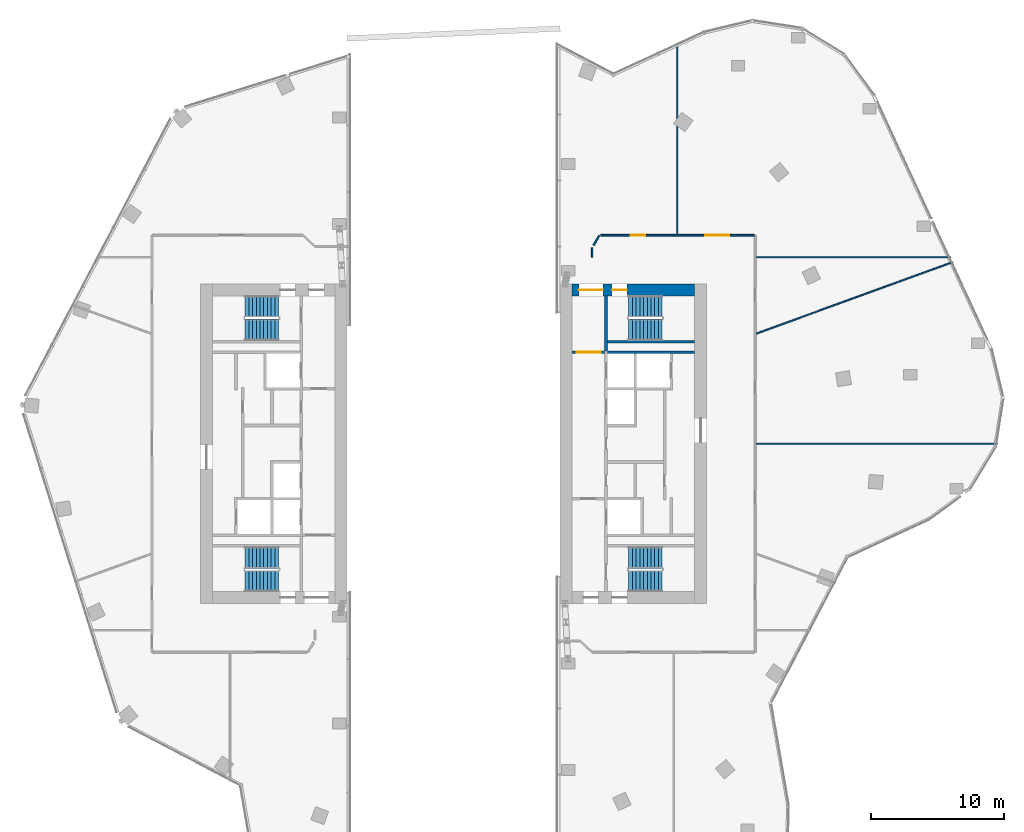
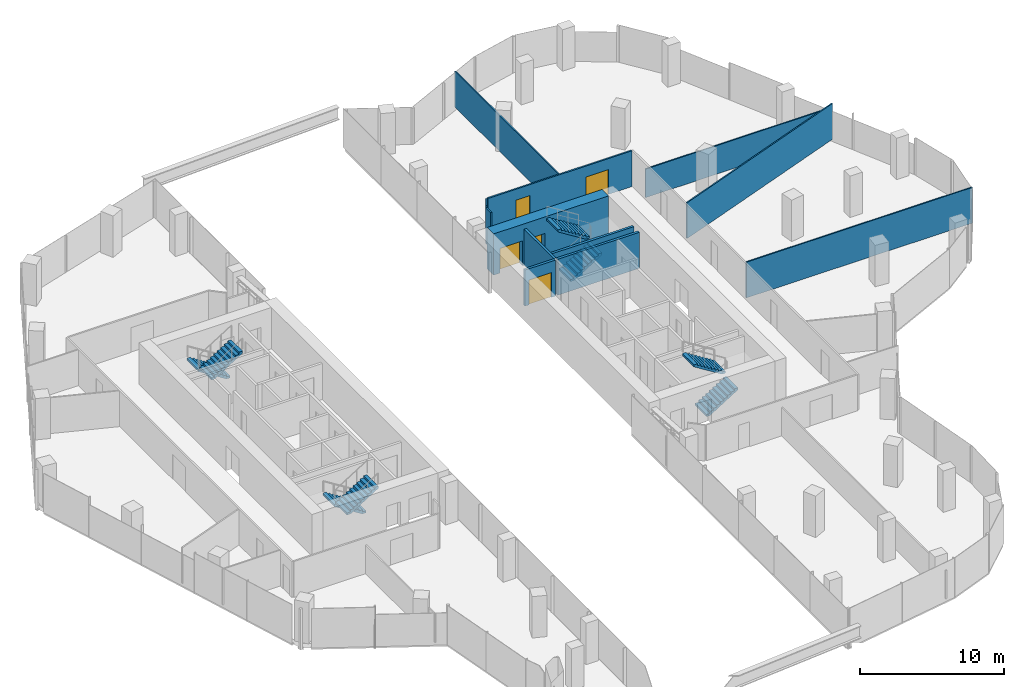
# One storey, part 22 of 24: 12 walls, 8 stair flights, 5 doors, 5 openings, 4 elements without a shape of their own.
"""IFC4 building model written with IfcOpenShell, lengths in metres."""

from ifc_helpers import new_model, si_unit, direction, frame, frame_2d, origin, place, context, subcontext, project, spatial, polyline, rectangle, outline, extrude, material, layer, layer_set, type_object, element, fill, aggregate, save


model = new_model("IFC4")

# Units and contexts
model_context = context("Model", 3, precision=1e-05, world=origin(), true_north=direction((0.0, 1.0)))
body_context = subcontext(model_context, "Body", "Model", "MODEL_VIEW")
ifc_project = project(units=[si_unit("LENGTHUNIT", "METRE"), si_unit("AREAUNIT", "SQUARE_METRE"), si_unit("VOLUMEUNIT", "CUBIC_METRE"), si_unit("PLANEANGLEUNIT", "RADIAN"), si_unit("MASSUNIT", "GRAM", prefix="KILO")], contexts=[model_context])

# Site, building, storey
site_placement = place(None, origin())
site = spatial("IfcSite", under=ifc_project, at=site_placement, CompositionType="ELEMENT")
building_placement = place(site_placement, origin())
building = spatial("IfcBuilding", under=site, at=building_placement, Name="Orlundy Tower", CompositionType="ELEMENT")
storey_placement = place(building_placement, frame((0.0, 0.0, 267.5)))
storey = spatial("IfcBuildingStorey", under=building, at=storey_placement, Name="L71", CompositionType="ELEMENT", Elevation=267.5)

# Wall, openings, doors
ifc_material_1 = material(Name="Concrete C60/75", Category="concrete")
ifc_layer_1 = layer(ifc_material_1, 0.89990234375)
ifc_layer_set_1 = layer_set([ifc_layer_1], Name="CORE WALL 900 C60/75")
wall_type_1 = type_object("IfcWallType", Name="CORE WALL 900 C60/75", PredefinedType="SHEAR", material=ifc_layer_set_1)
wall_1_placement = place(storey_placement, frame((8.89990234375, 11.550048828125, 0.0), z_axis=(0.0, 0.0, 1.0), x_axis=(1.0, 0.0, 0.0)))
wall_1 = element("IfcWall", 1, at=wall_1_placement, inside=storey, type_object=wall_type_1, Name="Core wall E-N L71", PredefinedType="SHEAR", context=body_context, shape_type="SweptSolid", body=[
    extrude(rectangle(XDim=9.2001953125, YDim=0.89990234375, at=frame_2d((4.60009765625, 0.0))), origin(), (0.0, 0.0, 1.0), 3.5),
])
opening_1_placement = place(wall_1_placement, frame((0.5, 0.0, 0.0)))
opening_1 = element("IfcOpeningElement", 2, at=opening_1_placement, cuts=wall_1, Name="Opening 53061", PredefinedType="OPENING", context=body_context, shape_type="SweptSolid", body=[
    extrude(rectangle(XDim=1.800048828125, YDim=2.10009765625, at=frame_2d((0.89990234375, 1.050048828125))), frame((0.0, 0.4599609375, 0.0), z_axis=(0.0, -1.0, 0.0), x_axis=(1.0, 0.0, 0.0)), (0.0, 0.0, 1.0), 0.919921875),
])
opening_2_placement = place(wall_1_placement, frame((3.0, 0.0, 0.0)))
opening_2 = element("IfcOpeningElement", 3, at=opening_2_placement, cuts=wall_1, Name="Opening 53063", PredefinedType="OPENING", context=body_context, shape_type="SweptSolid", body=[
    extrude(rectangle(XDim=1.10009765625, YDim=2.10009765625, at=frame_2d((0.550048828125, 1.050048828125))), frame((0.0, 0.4599609375, 0.0), z_axis=(0.0, -1.0, 0.0), x_axis=(1.0, 0.0, 0.0)), (0.0, 0.0, 1.0), 0.919921875),
])
ifc_material_2 = material(Name="Timber door set", Category="wood")
door_type_1 = type_object("IfcDoorType", Name="Lobby Door 1800x2100", OperationType="DOUBLE_DOOR_DOUBLE_SWING", PredefinedType="DOOR", material=ifc_material_2)
door_1_placement = place(opening_1_placement, origin())
door_1 = element("IfcDoor", 4, at=door_1_placement, inside=storey, type_object=door_type_1, Name="Passage door 53061", OperationType="SINGLE_SWING_LEFT", OverallHeight=2.10009765625, OverallWidth=1.800048828125, PredefinedType="DOOR", context=body_context, shape_type="SweptSolid", body=[
    extrude(rectangle(XDim=1.800048828125, YDim=2.10009765625, at=frame_2d((0.89990234375, 1.050048828125))), frame((0.0, 0.02490234375, 0.0), z_axis=(0.0, -1.0, 0.0), x_axis=(1.0, 0.0, 0.0)), (0.0, 0.0, 1.0), 0.050048828125),
])
fill(opening_1, door_1)
ifc_material_3 = material(Name="Steel door set", Category="steel")
door_type_2 = type_object("IfcDoorType", Name="Stair Door 1100x2100", OperationType="SINGLE_SWING_LEFT", PredefinedType="DOOR", material=ifc_material_3)
door_2_placement = place(opening_2_placement, origin())
door_2 = element("IfcDoor", 5, at=door_2_placement, inside=storey, type_object=door_type_2, Name="Stair door 53063", OperationType="SINGLE_SWING_LEFT", OverallHeight=2.10009765625, OverallWidth=1.10009765625, PredefinedType="DOOR", context=body_context, shape_type="SweptSolid", body=[
    extrude(rectangle(XDim=1.10009765625, YDim=2.10009765625, at=frame_2d((0.550048828125, 1.050048828125))), frame((0.0, 0.02490234375, 0.0), z_axis=(0.0, -1.0, 0.0), x_axis=(1.0, 0.0, 0.0)), (0.0, 0.0, 1.0), 0.050048828125),
])
fill(opening_2, door_2)

# Walls
ifc_material_4 = material(Name="Gypsum board partition")
ifc_layer_2 = layer(ifc_material_4, 0.10009765625)
ifc_layer_set_2 = layer_set([ifc_layer_2], Name="Floor partition 100")
wall_type_2 = type_object("IfcWallType", Name="Floor partition 100", PredefinedType="PARTITIONING", material=ifc_layer_set_2)
wall_2_placement = place(storey_placement, frame((22.712890625, 0.0, 0.0), z_axis=(0.0, 0.0, 1.0), x_axis=(1.0, 0.0, 0.0)))
element("IfcWall", 6, at=wall_2_placement, inside=storey, type_object=wall_type_2, Name="wall-int-L71-008", PredefinedType="PARTITIONING", context=body_context, shape_type="SweptSolid", body=[
    extrude(rectangle(XDim=18.125, YDim=0.10009765625, at=frame_2d((9.0625, 0.0))), origin(), (0.0, 0.0, 1.0), 3.030029296875),
])
wall_3_placement = place(storey_placement, frame((22.73095703125, 8.27294921875, 0.0), z_axis=(0.0, 0.0, 1.0), x_axis=(0.939678973323, 0.342057637095, 0.0)))
element("IfcWall", 7, at=wall_3_placement, inside=storey, type_object=wall_type_2, Name="wall-int-L71-015", PredefinedType="PARTITIONING", context=body_context, shape_type="SweptSolid", body=[
    extrude(rectangle(XDim=15.702392578125, YDim=0.10009765625, at=frame_2d((7.85107421875, 0.0))), origin(), (0.0, 0.0, 1.0), 3.030029296875),
])
wall_4_placement = place(storey_placement, frame((16.794921875, 15.712890625, 0.0), z_axis=(0.0, 0.0, 1.0), x_axis=(0.0, 1.0, 0.0)))
element("IfcWall", 8, at=wall_4_placement, inside=storey, type_object=wall_type_2, Name="wall-int-L71-019", PredefinedType="PARTITIONING", context=body_context, shape_type="SweptSolid", body=[
    extrude(rectangle(XDim=14.373046875, YDim=0.10009765625, at=frame_2d((7.1865234375, 0.0))), origin(), (0.0, 0.0, 1.0), 3.030029296875),
])
ifc_material_5 = material(Name="Gypsum board partition")
ifc_layer_3 = layer(ifc_material_5, 0.10009765625)
ifc_layer_set_3 = layer_set([ifc_layer_3], Name="Floor partition 100 B")
wall_type_3 = type_object("IfcWallType", Name="Floor partition 100 B", PredefinedType="PARTITIONING", material=ifc_layer_set_3)
wall_5_placement = place(storey_placement, frame((22.712890625, 14.0, 0.0), z_axis=(0.0, 0.0, 1.0), x_axis=(1.0, 0.0, 0.0)))
element("IfcWall", 9, at=wall_5_placement, inside=storey, type_object=wall_type_3, Name="wall-int-L71-010", PredefinedType="PARTITIONING", context=body_context, shape_type="SweptSolid", body=[
    extrude(rectangle(XDim=14.608154296875, YDim=0.10009765625, at=frame_2d((7.30419921875, 0.0))), origin(), (0.0, 0.0, 1.0), 2.4189453125),
])

# Wall, openings, doors
ifc_material_6 = material(Name="Gypsum board partition, double layer")
ifc_layer_4 = layer(ifc_material_6, 0.125)
ifc_layer_set_4 = layer_set([ifc_layer_4], Name="Floor partition 125")
wall_type_4 = type_object("IfcWallType", Name="Floor partition 125", PredefinedType="PARTITIONING", material=ifc_layer_set_4)
wall_6_placement = place(storey_placement, frame((11.047119140625, 15.65087890625, 0.0), z_axis=(0.0, 0.0, 1.0), x_axis=(1.0, 0.0, 0.0)))
wall_6 = element("IfcWall", 10, at=wall_6_placement, inside=storey, type_object=wall_type_4, Name="wall-int-L71-013", PredefinedType="PARTITIONING", context=body_context, shape_type="SweptSolid", body=[
    extrude(rectangle(XDim=11.539794921875, YDim=0.125, at=frame_2d((5.77001953125, 0.0))), origin(), (0.0, 0.0, 1.0), 3.030029296875),
])
opening_3_placement = place(wall_6_placement, frame((7.84765625, 0.0, 0.0)))
opening_3 = element("IfcOpeningElement", 11, at=opening_3_placement, cuts=wall_6, Name="Opening 53109", PredefinedType="OPENING", context=body_context, shape_type="SweptSolid", body=[
    extrude(rectangle(XDim=1.800048828125, YDim=2.10009765625, at=frame_2d((0.89990234375, 1.050048828125))), frame((0.0, 0.072509765625, 0.0), z_axis=(0.0, -1.0, 0.0), x_axis=(1.0, 0.0, 0.0)), (0.0, 0.0, 1.0), 0.14501953125),
])
opening_4_placement = place(wall_6_placement, frame((2.24169921875, 0.0, 0.0)))
opening_4 = element("IfcOpeningElement", 12, at=opening_4_placement, cuts=wall_6, Name="Opening 53110", PredefinedType="OPENING", context=body_context, shape_type="SweptSolid", body=[
    extrude(rectangle(XDim=1.10009765625, YDim=2.10009765625, at=frame_2d((0.550048828125, 1.050048828125))), frame((0.0, 0.072509765625, 0.0), z_axis=(0.0, -1.0, 0.0), x_axis=(1.0, 0.0, 0.0)), (0.0, 0.0, 1.0), 0.14501953125),
])
ifc_material_7 = material(Name="Timber door leaf", Category="wood")
door_type_3 = type_object("IfcDoorType", Name="Floor door double 1800 FD30S", OperationType="NOTDEFINED", PredefinedType="DOOR", material=ifc_material_7)
door_3_placement = place(opening_3_placement, origin())
door_3 = element("IfcDoor", 13, at=door_3_placement, inside=storey, type_object=door_type_3, Name="Door 53109", OperationType="DOUBLE_DOOR_SINGLE_SWING", OverallHeight=2.10009765625, OverallWidth=1.800048828125, PredefinedType="DOOR", context=body_context, shape_type="SweptSolid", body=[
    extrude(rectangle(XDim=1.800048828125, YDim=2.10009765625, at=frame_2d((0.89990234375, 1.050048828125))), frame((0.0, 0.02490234375, 0.0), z_axis=(0.0, -1.0, 0.0), x_axis=(1.0, 0.0, 0.0)), (0.0, 0.0, 1.0), 0.050048828125),
])
fill(opening_3, door_3)
ifc_material_8 = material(Name="Timber door leaf", Category="wood")
door_type_4 = type_object("IfcDoorType", Name="Floor door xwide 1100 FD30S", OperationType="NOTDEFINED", PredefinedType="DOOR", material=ifc_material_8)
door_4_placement = place(opening_4_placement, origin())
door_4 = element("IfcDoor", 14, at=door_4_placement, inside=storey, type_object=door_type_4, Name="Door 53110", OperationType="SINGLE_SWING_LEFT", OverallHeight=2.10009765625, OverallWidth=1.10009765625, PredefinedType="DOOR", context=body_context, shape_type="SweptSolid", body=[
    extrude(rectangle(XDim=1.10009765625, YDim=2.10009765625, at=frame_2d((0.550048828125, 1.050048828125))), frame((0.0, 0.02490234375, 0.0), z_axis=(0.0, -1.0, 0.0), x_axis=(1.0, 0.0, 0.0)), (0.0, 0.0, 1.0), 0.050048828125),
])
fill(opening_4, door_4)

# Walls
wall_7_placement = place(storey_placement, frame((10.510009765625, 14.902099609375, 0.0), z_axis=(0.0, 0.0, 1.0), x_axis=(0.500820310379, 0.865551279077, 0.0)))
element("IfcWall", 15, at=wall_7_placement, inside=storey, type_object=wall_type_4, Name="wall-int-L71-016", PredefinedType="PARTITIONING", context=body_context, shape_type="SweptSolid", body=[
    extrude(rectangle(XDim=0.8466796875, YDim=0.125, at=frame_2d((0.42333984375, 0.0))), origin(), (0.0, 0.0, 1.0), 3.030029296875),
])
wall_8_placement = place(storey_placement, frame((10.39990234375, 14.0, 0.0), z_axis=(0.0, 0.0, 1.0), x_axis=(0.0, 1.0, 0.0)))
element("IfcWall", 16, at=wall_8_placement, inside=storey, type_object=wall_type_4, Name="wall-int-L71-022", PredefinedType="PARTITIONING", context=body_context, shape_type="SweptSolid", body=[
    extrude(rectangle(XDim=0.699951171875, YDim=0.125, at=frame_2d((0.35009765625, 0.0))), origin(), (0.0, 0.0, 1.0), 3.030029296875),
])
ifc_material_9 = material(Name="Concrete C40/50", Category="concrete")
ifc_layer_5 = layer(ifc_material_9, 0.199951171875)
ifc_layer_set_5 = layer_set([ifc_layer_5], Name="Load-bearing Shaft Wall 200")
wall_type_5 = type_object("IfcWallType", Name="Load-bearing Shaft Wall 200", PredefinedType="SOLIDWALL", material=ifc_layer_set_5)
wall_9_placement = place(storey_placement, frame((11.43994140625, 11.10009765625, 0.0), z_axis=(0.0, 0.0, 1.0), x_axis=(0.0, -1.0, 0.0)))
element("IfcWall", 17, at=wall_9_placement, inside=storey, type_object=wall_type_5, Name="Shaft wall E53-stair-end-s", PredefinedType="SOLIDWALL", context=body_context, shape_type="SweptSolid", body=[
    extrude(rectangle(XDim=4.125, YDim=0.199951171875, at=frame_2d((2.0625, 0.0))), origin(), (0.0, 0.0, 1.0), 3.050048828125),
])
wall_10_placement = place(storey_placement, frame((11.5400390625, 7.64990234375, 0.0), z_axis=(0.0, 0.0, 1.0), x_axis=(1.0, 0.0, 0.0)))
element("IfcWall", 18, at=wall_10_placement, inside=storey, type_object=wall_type_5, Name="Shaft wall E53-stair-side-s", PredefinedType="SOLIDWALL", context=body_context, shape_type="SweptSolid", body=[
    extrude(rectangle(XDim=6.56005859375, YDim=0.199951171875, at=frame_2d((3.280029296875, 0.0))), origin(), (0.0, 0.0, 1.0), 3.050048828125),
])

# Wall, opening, door
ifc_material_10 = material(Name="Gypsum board partition on steel studs", Category="steel")
ifc_layer_6 = layer(ifc_material_10, 0.199951171875)
ifc_layer_set_6 = layer_set([ifc_layer_6], Name="Partition 200")
wall_type_6 = type_object("IfcWallType", Name="Partition 200", PredefinedType="PARTITIONING", material=ifc_layer_set_6)
wall_11_placement = place(storey_placement, frame((8.89990234375, 6.875, 0.0), z_axis=(0.0, 0.0, 1.0), x_axis=(1.0, 0.0, 0.0)))
wall_11 = element("IfcWall", 19, at=wall_11_placement, inside=storey, type_object=wall_type_6, Name="Partition wall E53-end-s", PredefinedType="PARTITIONING", context=body_context, shape_type="SweptSolid", body=[
    extrude(rectangle(XDim=2.440185546875, YDim=0.199951171875, at=frame_2d((1.22021484375, 0.0))), origin(), (0.0, 0.0, 1.0), 3.050048828125),
])
opening_5_placement = place(wall_11_placement, frame((0.35009765625, 0.0, 0.0)))
opening_5 = element("IfcOpeningElement", 20, at=opening_5_placement, cuts=wall_11, Name="Opening 53060", PredefinedType="OPENING", context=body_context, shape_type="SweptSolid", body=[
    extrude(rectangle(XDim=1.800048828125, YDim=2.10009765625, at=frame_2d((0.89990234375, 1.050048828125))), frame((0.0, 0.110107421875, 0.0), z_axis=(0.0, -1.0, 0.0), x_axis=(1.0, 0.0, 0.0)), (0.0, 0.0, 1.0), 0.22021484375),
])
door_5_placement = place(opening_5_placement, origin())
door_5 = element("IfcDoor", 21, at=door_5_placement, inside=storey, type_object=door_type_1, Name="Lift lobby to passage door 53060", OperationType="DOUBLE_DOOR_DOUBLE_SWING", OverallHeight=2.10009765625, OverallWidth=1.800048828125, PredefinedType="DOOR", context=body_context, shape_type="SweptSolid", body=[
    extrude(rectangle(XDim=1.800048828125, YDim=2.10009765625, at=frame_2d((0.89990234375, 1.050048828125))), frame((0.0, 0.02490234375, 0.0), z_axis=(0.0, -1.0, 0.0), x_axis=(1.0, 0.0, 0.0)), (0.0, 0.0, 1.0), 0.050048828125),
])
fill(opening_5, door_5)

# Wall
ifc_material_11 = material(Name="Fire-rated blockwork shaft wall", Category="masonry")
ifc_layer_7 = layer(ifc_material_11, 0.199951171875)
ifc_layer_set_7 = layer_set([ifc_layer_7], Name="Shaft Wall 200")
wall_type_7 = type_object("IfcWallType", Name="Shaft Wall 200", PredefinedType="SOLIDWALL", material=ifc_layer_set_7)
wall_12_placement = place(storey_placement, frame((11.5400390625, 6.875, 0.0), z_axis=(0.0, 0.0, 1.0), x_axis=(1.0, 0.0, 0.0)))
element("IfcWall", 22, at=wall_12_placement, inside=storey, type_object=wall_type_7, Name="Shaft wall E53-zone-s", PredefinedType="SOLIDWALL", context=body_context, shape_type="SweptSolid", body=[
    extrude(rectangle(XDim=6.56005859375, YDim=0.199951171875, at=frame_2d((3.280029296875, 0.0))), origin(), (0.0, 0.0, 1.0), 3.050048828125),
])

# Stair, stair flights
ifc_material_12 = material(Name="Concrete C50/60", Category="concrete")
stair_type = type_object("IfcStairType", Name="Exit Stair 20 risers", PredefinedType="HALF_TURN_STAIR", material=ifc_material_12)
stair_1_placement = place(storey_placement, origin())
stair_1 = element("IfcStair", 23, at=stair_1_placement, inside=storey, type_object=stair_type, Name="L71 Exit Stair ST-W1", PredefinedType="HALF_TURN_STAIR")
ifc_material_13 = material(Name="Concrete C50/60", Category="concrete")
stair_flight_type = type_object("IfcStairFlightType", Name="Stair Flight 10 risers", PredefinedType="STRAIGHT", material=ifc_material_13)
stair_flight_1_placement = place(storey_placement, frame((-13.139892578125, 10.300048828125, 0.0), z_axis=(0.0, 0.0, 1.0), x_axis=(-1.0, 0.0, 0.0)))
stair_flight_1 = element("IfcStairFlight", 24, at=stair_flight_1_placement, type_object=stair_flight_type, Name="ST-W1 flight 1", NumberOfRisers=10, NumberOfTreads=9, PredefinedType="STRAIGHT", RiserHeight=0.175, TreadLength=0.28, context=body_context, shape_type="SweptSolid", body=[
    extrude(outline(polyline([(0.0, 0.0), (0.0, 0.175048828125), (0.280029296875, 0.175048828125), (0.280029296875, 0.35009765625), (0.56005859375, 0.35009765625), (0.56005859375, 0.52490234375), (0.840087890625, 0.52490234375), (0.840087890625, 0.699951171875), (1.1201171875, 0.699951171875), (1.1201171875, 0.875), (1.39990234375, 0.875), (1.39990234375, 1.050048828125), (1.679931640625, 1.050048828125), (1.679931640625, 1.22509765625), (1.9599609375, 1.22509765625), (1.9599609375, 1.39990234375), (2.239990234375, 1.39990234375), (2.239990234375, 1.574951171875), (2.52001953125, 1.574951171875), (2.52001953125, 1.75), (2.52001953125, 1.398193359375), (0.28271484375, 0.0), (0.0, 0.0)])), frame((0.0, 0.800048828125, 0.0), z_axis=(0.0, -1.0, 0.0), x_axis=(1.0, 0.0, 0.0)), (0.0, 0.0, 1.0), 1.60009765625),
])
stair_flight_2_placement = place(storey_placement, frame((-15.659912109375, 8.550048828125, 1.75), z_axis=(0.0, 0.0, 1.0), x_axis=(1.0, 0.0, 0.0)))
stair_flight_2 = element("IfcStairFlight", 25, at=stair_flight_2_placement, type_object=stair_flight_type, Name="ST-W1 flight 2", NumberOfRisers=10, NumberOfTreads=9, PredefinedType="STRAIGHT", RiserHeight=0.175, TreadLength=0.28, context=body_context, shape_type="SweptSolid", body=[
    extrude(outline(polyline([(0.0, 0.0), (0.0, 0.175048828125), (0.280029296875, 0.175048828125), (0.280029296875, 0.35009765625), (0.56005859375, 0.35009765625), (0.56005859375, 0.52490234375), (0.840087890625, 0.52490234375), (0.840087890625, 0.699951171875), (1.1201171875, 0.699951171875), (1.1201171875, 0.875), (1.39990234375, 0.875), (1.39990234375, 1.050048828125), (1.679931640625, 1.050048828125), (1.679931640625, 1.22509765625), (1.9599609375, 1.22509765625), (1.9599609375, 1.39990234375), (2.239990234375, 1.39990234375), (2.239990234375, 1.574951171875), (2.52001953125, 1.574951171875), (2.52001953125, 1.75), (2.52001953125, 1.398193359375), (0.28271484375, 0.0), (0.0, 0.0)])), frame((0.0, 0.800048828125, 0.0), z_axis=(0.0, -1.0, 0.0), x_axis=(1.0, 0.0, 0.0)), (0.0, 0.0, 1.0), 1.60009765625),
])
aggregate(stair_1, [stair_flight_1, stair_flight_2])

stair_2_placement = place(storey_placement, origin())
stair_2 = element("IfcStair", 26, at=stair_2_placement, inside=storey, type_object=stair_type, Name="L71 Exit Stair ST-W2", PredefinedType="HALF_TURN_STAIR")
stair_flight_3_placement = place(storey_placement, frame((-13.139892578125, -8.550048828125, 0.0), z_axis=(0.0, 0.0, 1.0), x_axis=(-1.0, 0.0, 0.0)))
stair_flight_3 = element("IfcStairFlight", 27, at=stair_flight_3_placement, type_object=stair_flight_type, Name="ST-W2 flight 1", NumberOfRisers=10, NumberOfTreads=9, PredefinedType="STRAIGHT", RiserHeight=0.175, TreadLength=0.28, context=body_context, shape_type="SweptSolid", body=[
    extrude(outline(polyline([(0.0, 0.0), (0.0, 0.175048828125), (0.280029296875, 0.175048828125), (0.280029296875, 0.35009765625), (0.56005859375, 0.35009765625), (0.56005859375, 0.52490234375), (0.840087890625, 0.52490234375), (0.840087890625, 0.699951171875), (1.1201171875, 0.699951171875), (1.1201171875, 0.875), (1.39990234375, 0.875), (1.39990234375, 1.050048828125), (1.679931640625, 1.050048828125), (1.679931640625, 1.22509765625), (1.9599609375, 1.22509765625), (1.9599609375, 1.39990234375), (2.239990234375, 1.39990234375), (2.239990234375, 1.574951171875), (2.52001953125, 1.574951171875), (2.52001953125, 1.75), (2.52001953125, 1.398193359375), (0.28271484375, 0.0), (0.0, 0.0)])), frame((0.0, 0.800048828125, 0.0), z_axis=(0.0, -1.0, 0.0), x_axis=(1.0, 0.0, 0.0)), (0.0, 0.0, 1.0), 1.60009765625),
])
stair_flight_4_placement = place(storey_placement, frame((-15.659912109375, -10.300048828125, 1.75), z_axis=(0.0, 0.0, 1.0), x_axis=(1.0, 0.0, 0.0)))
stair_flight_4 = element("IfcStairFlight", 28, at=stair_flight_4_placement, type_object=stair_flight_type, Name="ST-W2 flight 2", NumberOfRisers=10, NumberOfTreads=9, PredefinedType="STRAIGHT", RiserHeight=0.175, TreadLength=0.28, context=body_context, shape_type="SweptSolid", body=[
    extrude(outline(polyline([(0.0, 0.0), (0.0, 0.175048828125), (0.280029296875, 0.175048828125), (0.280029296875, 0.35009765625), (0.56005859375, 0.35009765625), (0.56005859375, 0.52490234375), (0.840087890625, 0.52490234375), (0.840087890625, 0.699951171875), (1.1201171875, 0.699951171875), (1.1201171875, 0.875), (1.39990234375, 0.875), (1.39990234375, 1.050048828125), (1.679931640625, 1.050048828125), (1.679931640625, 1.22509765625), (1.9599609375, 1.22509765625), (1.9599609375, 1.39990234375), (2.239990234375, 1.39990234375), (2.239990234375, 1.574951171875), (2.52001953125, 1.574951171875), (2.52001953125, 1.75), (2.52001953125, 1.398193359375), (0.28271484375, 0.0), (0.0, 0.0)])), frame((0.0, 0.800048828125, 0.0), z_axis=(0.0, -1.0, 0.0), x_axis=(1.0, 0.0, 0.0)), (0.0, 0.0, 1.0), 1.60009765625),
])
aggregate(stair_2, [stair_flight_3, stair_flight_4])

stair_3_placement = place(storey_placement, origin())
stair_3 = element("IfcStair", 29, at=stair_3_placement, inside=storey, type_object=stair_type, Name="L71 Exit Stair ST-E1", PredefinedType="HALF_TURN_STAIR")
stair_flight_5_placement = place(storey_placement, frame((13.139892578125, -10.300048828125, 0.0), z_axis=(0.0, 0.0, 1.0), x_axis=(1.0, 0.0, 0.0)))
stair_flight_5 = element("IfcStairFlight", 30, at=stair_flight_5_placement, type_object=stair_flight_type, Name="ST-E1 flight 1", NumberOfRisers=10, NumberOfTreads=9, PredefinedType="STRAIGHT", RiserHeight=0.175, TreadLength=0.28, context=body_context, shape_type="SweptSolid", body=[
    extrude(outline(polyline([(0.0, 0.0), (0.0, 0.175048828125), (0.280029296875, 0.175048828125), (0.280029296875, 0.35009765625), (0.56005859375, 0.35009765625), (0.56005859375, 0.52490234375), (0.840087890625, 0.52490234375), (0.840087890625, 0.699951171875), (1.1201171875, 0.699951171875), (1.1201171875, 0.875), (1.39990234375, 0.875), (1.39990234375, 1.050048828125), (1.679931640625, 1.050048828125), (1.679931640625, 1.22509765625), (1.9599609375, 1.22509765625), (1.9599609375, 1.39990234375), (2.239990234375, 1.39990234375), (2.239990234375, 1.574951171875), (2.52001953125, 1.574951171875), (2.52001953125, 1.75), (2.52001953125, 1.398193359375), (0.28271484375, 0.0), (0.0, 0.0)])), frame((0.0, 0.800048828125, 0.0), z_axis=(0.0, -1.0, 0.0), x_axis=(1.0, 0.0, 0.0)), (0.0, 0.0, 1.0), 1.60009765625),
])
stair_flight_6_placement = place(storey_placement, frame((15.659912109375, -8.550048828125, 1.75), z_axis=(0.0, 0.0, 1.0), x_axis=(-1.0, 0.0, 0.0)))
stair_flight_6 = element("IfcStairFlight", 31, at=stair_flight_6_placement, type_object=stair_flight_type, Name="ST-E1 flight 2", NumberOfRisers=10, NumberOfTreads=9, PredefinedType="STRAIGHT", RiserHeight=0.175, TreadLength=0.28, context=body_context, shape_type="SweptSolid", body=[
    extrude(outline(polyline([(0.0, 0.0), (0.0, 0.175048828125), (0.280029296875, 0.175048828125), (0.280029296875, 0.35009765625), (0.56005859375, 0.35009765625), (0.56005859375, 0.52490234375), (0.840087890625, 0.52490234375), (0.840087890625, 0.699951171875), (1.1201171875, 0.699951171875), (1.1201171875, 0.875), (1.39990234375, 0.875), (1.39990234375, 1.050048828125), (1.679931640625, 1.050048828125), (1.679931640625, 1.22509765625), (1.9599609375, 1.22509765625), (1.9599609375, 1.39990234375), (2.239990234375, 1.39990234375), (2.239990234375, 1.574951171875), (2.52001953125, 1.574951171875), (2.52001953125, 1.75), (2.52001953125, 1.398193359375), (0.28271484375, 0.0), (0.0, 0.0)])), frame((0.0, 0.800048828125, 0.0), z_axis=(0.0, -1.0, 0.0), x_axis=(1.0, 0.0, 0.0)), (0.0, 0.0, 1.0), 1.60009765625),
])
aggregate(stair_3, [stair_flight_5, stair_flight_6])

stair_4_placement = place(storey_placement, origin())
stair_4 = element("IfcStair", 32, at=stair_4_placement, inside=storey, type_object=stair_type, Name="L71 Exit Stair ST-E2", PredefinedType="HALF_TURN_STAIR")
stair_flight_7_placement = place(storey_placement, frame((13.139892578125, 8.550048828125, 0.0), z_axis=(0.0, 0.0, 1.0), x_axis=(1.0, 0.0, 0.0)))
stair_flight_7 = element("IfcStairFlight", 33, at=stair_flight_7_placement, type_object=stair_flight_type, Name="ST-E2 flight 1", NumberOfRisers=10, NumberOfTreads=9, PredefinedType="STRAIGHT", RiserHeight=0.175, TreadLength=0.28, context=body_context, shape_type="SweptSolid", body=[
    extrude(outline(polyline([(0.0, 0.0), (0.0, 0.175048828125), (0.280029296875, 0.175048828125), (0.280029296875, 0.35009765625), (0.56005859375, 0.35009765625), (0.56005859375, 0.52490234375), (0.840087890625, 0.52490234375), (0.840087890625, 0.699951171875), (1.1201171875, 0.699951171875), (1.1201171875, 0.875), (1.39990234375, 0.875), (1.39990234375, 1.050048828125), (1.679931640625, 1.050048828125), (1.679931640625, 1.22509765625), (1.9599609375, 1.22509765625), (1.9599609375, 1.39990234375), (2.239990234375, 1.39990234375), (2.239990234375, 1.574951171875), (2.52001953125, 1.574951171875), (2.52001953125, 1.75), (2.52001953125, 1.398193359375), (0.28271484375, 0.0), (0.0, 0.0)])), frame((0.0, 0.800048828125, 0.0), z_axis=(0.0, -1.0, 0.0), x_axis=(1.0, 0.0, 0.0)), (0.0, 0.0, 1.0), 1.60009765625),
])
stair_flight_8_placement = place(storey_placement, frame((15.659912109375, 10.300048828125, 1.75), z_axis=(0.0, 0.0, 1.0), x_axis=(-1.0, 0.0, 0.0)))
stair_flight_8 = element("IfcStairFlight", 34, at=stair_flight_8_placement, type_object=stair_flight_type, Name="ST-E2 flight 2", NumberOfRisers=10, NumberOfTreads=9, PredefinedType="STRAIGHT", RiserHeight=0.175, TreadLength=0.28, context=body_context, shape_type="SweptSolid", body=[
    extrude(outline(polyline([(0.0, 0.0), (0.0, 0.175048828125), (0.280029296875, 0.175048828125), (0.280029296875, 0.35009765625), (0.56005859375, 0.35009765625), (0.56005859375, 0.52490234375), (0.840087890625, 0.52490234375), (0.840087890625, 0.699951171875), (1.1201171875, 0.699951171875), (1.1201171875, 0.875), (1.39990234375, 0.875), (1.39990234375, 1.050048828125), (1.679931640625, 1.050048828125), (1.679931640625, 1.22509765625), (1.9599609375, 1.22509765625), (1.9599609375, 1.39990234375), (2.239990234375, 1.39990234375), (2.239990234375, 1.574951171875), (2.52001953125, 1.574951171875), (2.52001953125, 1.75), (2.52001953125, 1.398193359375), (0.28271484375, 0.0), (0.0, 0.0)])), frame((0.0, 0.800048828125, 0.0), z_axis=(0.0, -1.0, 0.0), x_axis=(1.0, 0.0, 0.0)), (0.0, 0.0, 1.0), 1.60009765625),
])
aggregate(stair_4, [stair_flight_7, stair_flight_8])

save(model, "model.ifc")
